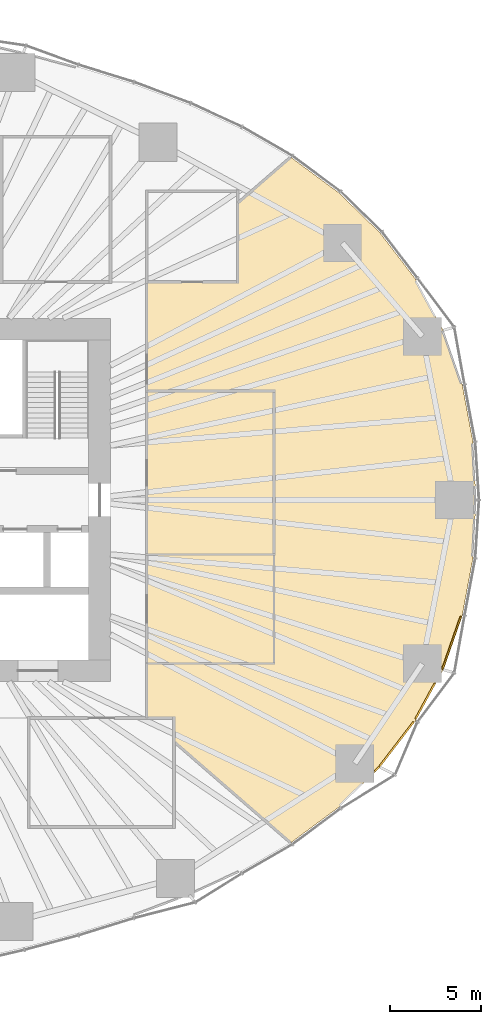
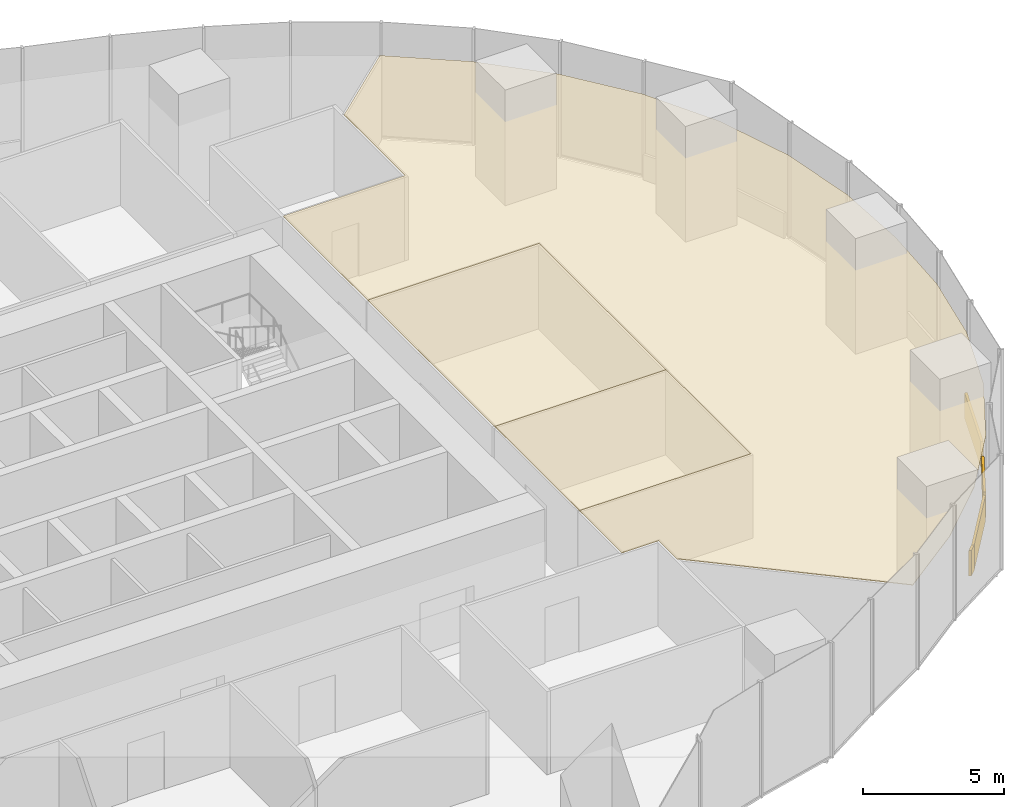
# One storey, part 18 of 20: 7 coverings.
"""IFC4 building model written with IfcOpenShell, lengths in metres."""

import ifcopenshell
import ifcopenshell.guid

model = None  # the IFC model being written
_history = None  # IfcOwnerHistory: only IFC2X3 demands one
_inside = {}  # id of a spatial element -> (the spatial element, [elements in it])
_under = {}  # id of a project, library or spatial element -> (it, [spatial elements below it])
_declared = {}  # id of a project -> (the project, [libraries it declares])
_typed = {}  # id of a type object -> (the type object, [elements of that type])
_made_of = {}  # id of a material, layer set ... -> (it, [elements and type objects made of it])


def new_model(schema):
    """Start an empty IFC model of exactly this schema.

    Asked for "IFC4X3", IfcOpenShell would pick the latest addendum, in which some entities
    have other attributes; the version numbers below select the first issue.
    IFC2X3 requires an IfcOwnerHistory on every rooted entity: one is made here for all.
    """
    global model, _history
    if schema == "IFC4X3":
        model = ifcopenshell.file(schema_version=(4, 3, 0, 0))
    else:
        model = ifcopenshell.file(schema=schema)
    _inside.clear()
    _under.clear()
    _declared.clear()
    _typed.clear()
    _made_of.clear()
    _history = None
    if model.schema == "IFC2X3":
        org = make("IfcOrganization", Name="unknown")
        user = make(
            "IfcPersonAndOrganization",
            ThePerson=make("IfcPerson", FamilyName="unknown"),
            TheOrganization=org,
        )
        app = make(
            "IfcApplication",
            ApplicationDeveloper=org,
            Version="unknown",
            ApplicationFullName="unknown",
            ApplicationIdentifier="unknown",
        )
        _history = make(
            "IfcOwnerHistory",
            OwningUser=user,
            OwningApplication=app,
            ChangeAction="ADDED",
            CreationDate=0,
        )
    return model


def make(cls, **values):
    """One entity of the class cls with the attributes given. An attribute that is None is left unset."""
    return model.create_entity(
        cls, **{name: value for name, value in values.items() if value is not None}
    )


def rooted(cls, **values):
    """An entity with a GlobalId (a new one), such as an element, a storey or a relation."""
    return make(cls, GlobalId=ifcopenshell.guid.new(), OwnerHistory=_history, **values)


def si_unit(unit_type, name, prefix=None):
    """IfcSIUnit, for example si_unit("LENGTHUNIT", "METRE", prefix="MILLI")."""
    return make("IfcSIUnit", UnitType=unit_type, Prefix=prefix, Name=name)


def assignment(units):
    """IfcUnitAssignment: the units of a project."""
    return None if units is None else make("IfcUnitAssignment", Units=units)


def point(xyz):
    """IfcCartesianPoint."""
    return None if xyz is None else make("IfcCartesianPoint", Coordinates=xyz)


def direction(xyz):
    """IfcDirection."""
    return None if xyz is None else make("IfcDirection", DirectionRatios=xyz)


def frame(location, z_axis=None, x_axis=None):
    """IfcAxis2Placement3D, a coordinate frame: its origin and axes. An axis left out is left unset."""
    return make(
        "IfcAxis2Placement3D",
        Location=point(location),
        Axis=direction(z_axis),
        RefDirection=direction(x_axis),
    )


def frame_2d(location, x_axis=None):
    """IfcAxis2Placement2D, a coordinate frame in the plane: its origin and x axis."""
    return make(
        "IfcAxis2Placement2D", Location=point(location), RefDirection=direction(x_axis)
    )


def origin():
    """The frame at (0, 0, 0) with its axes left unset."""
    return frame((0.0, 0.0, 0.0))


def origin_2d():
    """The frame at (0, 0) in the plane with its x axis left unset."""
    return frame_2d((0.0, 0.0))


def place(relative_to, where):
    """IfcLocalPlacement: puts the frame where relative to a parent placement (None: the world)."""
    return make(
        "IfcLocalPlacement", PlacementRelTo=relative_to, RelativePlacement=where
    )


def context(
    kind, dimensions, precision=None, world=None, true_north=None, identifier=None
):
    """IfcGeometricRepresentationContext, for example the 3D "Model" context."""
    return make(
        "IfcGeometricRepresentationContext",
        ContextIdentifier=identifier,
        ContextType=kind,
        CoordinateSpaceDimension=dimensions,
        Precision=precision,
        WorldCoordinateSystem=world,
        TrueNorth=true_north,
    )


def subcontext(parent, identifier, kind, view, scale=None):
    """IfcGeometricRepresentationSubContext, for example "Body" below "Model"."""
    return make(
        "IfcGeometricRepresentationSubContext",
        ContextIdentifier=identifier,
        ContextType=kind,
        ParentContext=parent,
        TargetScale=scale,
        TargetView=view,
    )


def project(units=None, contexts=None):
    """IfcProject with its units and contexts."""
    return rooted(
        "IfcProject",
        Name="project",
        RepresentationContexts=contexts,
        UnitsInContext=assignment(units),
    )


def spatial(cls, under=None, at=None, **own):
    """A site, building, storey or space (cls), placed at a placement, below another one or the project."""
    s = rooted(cls, ObjectPlacement=at, **own)
    if under is not None:
        _under.setdefault(under.id(), (under, []))[1].append(s)
    return s


def polyline(points):
    """IfcPolyline through the points."""
    return make("IfcPolyline", Points=[point(p) for p in points])


def profile(cls, at=None, kind="AREA", **sizes):
    """A parametric profile (cls). Its sizes go by their IFC names, for example OverallWidth=200.0."""
    return make(cls, ProfileType=kind, Position=at, **sizes)


def rectangle(**sizes):
    """IfcRectangleProfileDef."""
    return profile("IfcRectangleProfileDef", **sizes)


def outline(outer, holes=None, kind="AREA"):
    """IfcArbitraryClosedProfileDef: a profile drawn as a closed curve; with holes, ...WithVoids."""
    if holes is None:
        return make("IfcArbitraryClosedProfileDef", ProfileType=kind, OuterCurve=outer)
    return make(
        "IfcArbitraryProfileDefWithVoids",
        ProfileType=kind,
        OuterCurve=outer,
        InnerCurves=holes,
    )


def extrude(swept, where, along, depth):
    """IfcExtrudedAreaSolid: the profile swept, set in the frame where, extruded along a direction by depth."""
    return make(
        "IfcExtrudedAreaSolid",
        SweptArea=swept,
        Position=where,
        ExtrudedDirection=direction(along),
        Depth=depth,
    )


def shape(context_of_items, identifier, shape_type, items):
    """IfcShapeRepresentation: the items that make up one representation, for example the "Body"."""
    return make(
        "IfcShapeRepresentation",
        ContextOfItems=context_of_items,
        RepresentationIdentifier=identifier,
        RepresentationType=shape_type,
        Items=items,
    )


def material(Name=None, Category=None):
    """IfcMaterial."""
    return make("IfcMaterial", Name=Name, Category=Category)


def layer(
    of_material, thickness, ventilated=None, Name=None, Category=None, Priority=None
):
    """IfcMaterialLayer: one layer of a wall or slab, of a material (None: an air gap)."""
    return make(
        "IfcMaterialLayer",
        Material=of_material,
        LayerThickness=thickness,
        IsVentilated=ventilated,
        Name=Name,
        Category=Category,
        Priority=Priority,
    )


def layer_set(layers, Name=None):
    """IfcMaterialLayerSet."""
    return make("IfcMaterialLayerSet", MaterialLayers=layers, LayerSetName=Name)


def made_of(thing, what):
    """Note that an element or type object is made of a material, layer set ...; save() writes the relation."""
    if what is not None:
        _made_of.setdefault(what.id(), (what, []))[1].append(thing)
    return thing


def type_object(cls, material=None, **own):
    """A type object (cls), such as IfcWallType, which elements share."""
    return made_of(rooted(cls, **own), material)


def element(
    cls,
    number,
    at=None,
    inside=None,
    cuts=None,
    type_object=None,
    material=None,
    context=None,
    identifier="Body",
    shape_type=None,
    held_by="IfcProductDefinitionShape",
    body=None,
    shapes=None,
    **own,
):
    """One element of the class cls, such as IfcWall. Its Tag is "e" and its number.

    at: its placement. inside: the storey or other place that contains it. cuts: it is an
    opening in that element (IfcRelVoidsElement). A single representation is given by context,
    identifier, shape_type and body (its items); several are given by shapes. held_by: the class
    of the entity that holds the representations. save() writes the other relations.
    """
    e = rooted(cls, Tag="e%d" % number, ObjectPlacement=at, **own)
    if body is not None:
        shapes = [shape(context, identifier, shape_type, body)]
    if shapes is not None:
        e.Representation = make(held_by, Representations=shapes)
    if inside is not None:
        _inside.setdefault(inside.id(), (inside, []))[1].append(e)
    if cuts is not None:
        rooted(
            "IfcRelVoidsElement", RelatingBuildingElement=cuts, RelatedOpeningElement=e
        )
    if type_object is not None:
        _typed.setdefault(type_object.id(), (type_object, []))[1].append(e)
    return made_of(e, material)


def aggregate(whole, parts):
    """IfcRelAggregates: a whole, such as a stair, and the parts it consists of."""
    return rooted("IfcRelAggregates", RelatingObject=whole, RelatedObjects=parts)


def save(model, path):
    """Write the relations noted so far, then the file.

    IfcRelAggregates (storeys below a building ...), IfcRelContainedInSpatialStructure (elements
    in a storey), IfcRelDefinesByType, IfcRelAssociatesMaterial and IfcRelDeclares: one each for
    every whole, place, type object, material and project.
    """
    for whole, parts in _under.values():
        aggregate(whole, parts)
    for where, things in _inside.values():
        rooted(
            "IfcRelContainedInSpatialStructure",
            RelatedElements=things,
            RelatingStructure=where,
        )
    for kind, things in _typed.values():
        rooted("IfcRelDefinesByType", RelatedObjects=things, RelatingType=kind)
    for what, things in _made_of.values():
        rooted("IfcRelAssociatesMaterial", RelatedObjects=things, RelatingMaterial=what)
    for by, libraries in _declared.values():
        rooted("IfcRelDeclares", RelatingContext=by, RelatedDefinitions=libraries)
    model.write(path)


model = new_model("IFC4")

# Units and contexts
model_context = context("Model", 3, precision=1e-05, world=origin(), true_north=direction((0.0, 1.0)))
body_context = subcontext(model_context, "Body", "Model", "MODEL_VIEW")
ifc_project = project(units=[si_unit("LENGTHUNIT", "METRE"), si_unit("AREAUNIT", "SQUARE_METRE"), si_unit("VOLUMEUNIT", "CUBIC_METRE"), si_unit("PLANEANGLEUNIT", "RADIAN"), si_unit("MASSUNIT", "GRAM", prefix="KILO")], contexts=[model_context])

# Site, building, storey
site_placement = place(None, origin())
site = spatial("IfcSite", under=ifc_project, at=site_placement, CompositionType="ELEMENT")
building_placement = place(site_placement, origin())
building = spatial("IfcBuilding", under=site, at=building_placement, Name="Ghaith Harvest Tower", CompositionType="ELEMENT")
storey_placement = place(building_placement, frame((0.0, 0.0, 40.0)))
storey = spatial("IfcBuildingStorey", under=building, at=storey_placement, Name="L08", CompositionType="ELEMENT", Elevation=40.0)

# Coverings
ifc_material_1 = material(Name="Mineral fibre ceiling tile", Category="gypsum")
ifc_layer_1 = layer(ifc_material_1, 0.02490234375)
ifc_layer_set_1 = layer_set([ifc_layer_1], Name="CEILING C2")
covering_type_1 = type_object("IfcCoveringType", Name="CEILING C2", PredefinedType="CEILING", material=ifc_layer_set_1)
covering_1_placement = place(storey_placement, frame((0.0, 0.0, 3.60009765625)))
element("IfcCovering", 1, at=covering_1_placement, inside=storey, type_object=covering_type_1, Name="Ceiling L08-14", PredefinedType="CEILING", context=body_context, shape_type="SweptSolid", body=[
    extrude(outline(polyline([(16.0, -9.0), (23.0, -9.0), (23.0, -3.0), (16.0, -3.0), (16.0, -9.0)])), origin(), (0.0, 0.0, 1.0), 0.02490234375),
])
covering_2_placement = place(storey_placement, frame((0.0, 0.0, 3.60009765625)))
element("IfcCovering", 2, at=covering_2_placement, inside=storey, type_object=covering_type_1, Name="Ceiling L08-15", PredefinedType="CEILING", context=body_context, shape_type="SweptSolid", body=[
    extrude(outline(polyline([(16.0, -3.0), (23.0, -3.0), (23.0, 6.0), (16.0, 6.0), (16.0, -3.0)])), origin(), (0.0, 0.0, 1.0), 0.02490234375),
])
covering_3_placement = place(storey_placement, frame((0.0, 0.0, 3.60009765625)))
element("IfcCovering", 3, at=covering_3_placement, inside=storey, type_object=covering_type_1, Name="Ceiling L08-E1", PredefinedType="CEILING", context=body_context, shape_type="SweptSolid", body=[
    extrude(outline(polyline([(26.572509765625, 16.9111328125), (28.840087890625, 14.708984375), (30.78515625, 12.1708984375), (32.318359375, 9.3408203125), (33.37158203125, 6.333984375), (33.95849609375, 3.194091796875), (34.125, 0.0), (33.95849609375, -3.194091796875), (33.37158203125, -6.333984375), (32.318359375, -9.3408203125), (30.78515625, -12.1708984375), (28.840087890625, -14.708984375), (26.572509765625, -16.9111328125), (23.92431640625, -18.873046875), (17.5, -13.301025390625), (17.5, -12.0), (16.0, -12.0), (16.0, -9.0), (23.0, -9.0), (23.0, 6.0), (16.0, 6.0), (16.0, 12.0), (21.0, 12.0), (21.0, 16.336669921875), (23.92431640625, 18.873046875), (26.572509765625, 16.9111328125)])), origin(), (0.0, 0.0, 1.0), 0.02490234375),
])
ifc_material_2 = material(Name="Insulated aluminium spandrel panel on steel framing", Category="steel")
ifc_layer_2 = layer(ifc_material_2, 0.10009765625)
ifc_layer_set_2 = layer_set([ifc_layer_2], Name="SLAB EDGE UPSTAND 1100x100")
covering_type_2 = type_object("IfcCoveringType", Name="SLAB EDGE UPSTAND 1100x100", PredefinedType="CLADDING", material=ifc_layer_set_2)
covering_4_placement = place(storey_placement, frame((28.674560546875, -14.800048828125, 0.0), z_axis=(0.0, 0.0, 1.0), x_axis=(0.717386427289, 0.69667547247, 0.0)))
element("IfcCovering", 4, at=covering_4_placement, inside=storey, type_object=covering_type_2, Name="Slab edge upstand 1 bay 19 L08", PredefinedType="CLADDING", context=body_context, shape_type="SweptSolid", body=[
    extrude(rectangle(XDim=0.364501953125, YDim=0.10009765625, at=origin_2d()), origin(), (0.0, 0.0, 1.0), 1.10009765625),
])
covering_5_placement = place(storey_placement, frame((29.74267578125, -13.44921875, 0.0), z_axis=(0.0, 0.0, 1.0), x_axis=(0.608255123652, 0.7937415855, 0.0)))
element("IfcCovering", 5, at=covering_5_placement, inside=storey, type_object=covering_type_2, Name="Slab edge upstand 2 bay 19 L08", PredefinedType="CLADDING", context=body_context, shape_type="SweptSolid", body=[
    extrude(rectangle(XDim=3.09765625, YDim=0.10009765625, at=origin_2d()), origin(), (0.0, 0.0, 1.0), 1.10009765625),
])
covering_6_placement = place(storey_placement, frame((31.32177734375, -11.075439453125, 0.0), z_axis=(0.0, 0.0, 1.0), x_axis=(0.4763492928, 0.879256135178, 0.0)))
element("IfcCovering", 6, at=covering_6_placement, inside=storey, type_object=covering_type_2, Name="Slab edge upstand 3 bay 19 L08", PredefinedType="CLADDING", context=body_context, shape_type="SweptSolid", body=[
    extrude(rectangle(XDim=2.237548828125, YDim=0.10009765625, at=origin_2d()), origin(), (0.0, 0.0, 1.0), 1.10009765625),
])
covering_7_placement = place(storey_placement, frame((32.7822265625, -7.865234375, 0.0), z_axis=(0.0, 0.0, 1.0), x_axis=(0.330597697302, 0.943771774604, 0.0)))
element("IfcCovering", 7, at=covering_7_placement, inside=storey, type_object=covering_type_2, Name="Slab edge upstand 1 bay 20 L08", PredefinedType="CLADDING", context=body_context, shape_type="SweptSolid", body=[
    extrude(rectangle(XDim=3.080078125, YDim=0.10009765625, at=origin_2d()), origin(), (0.0, 0.0, 1.0), 1.10009765625),
])

save(model, "model.ifc")
